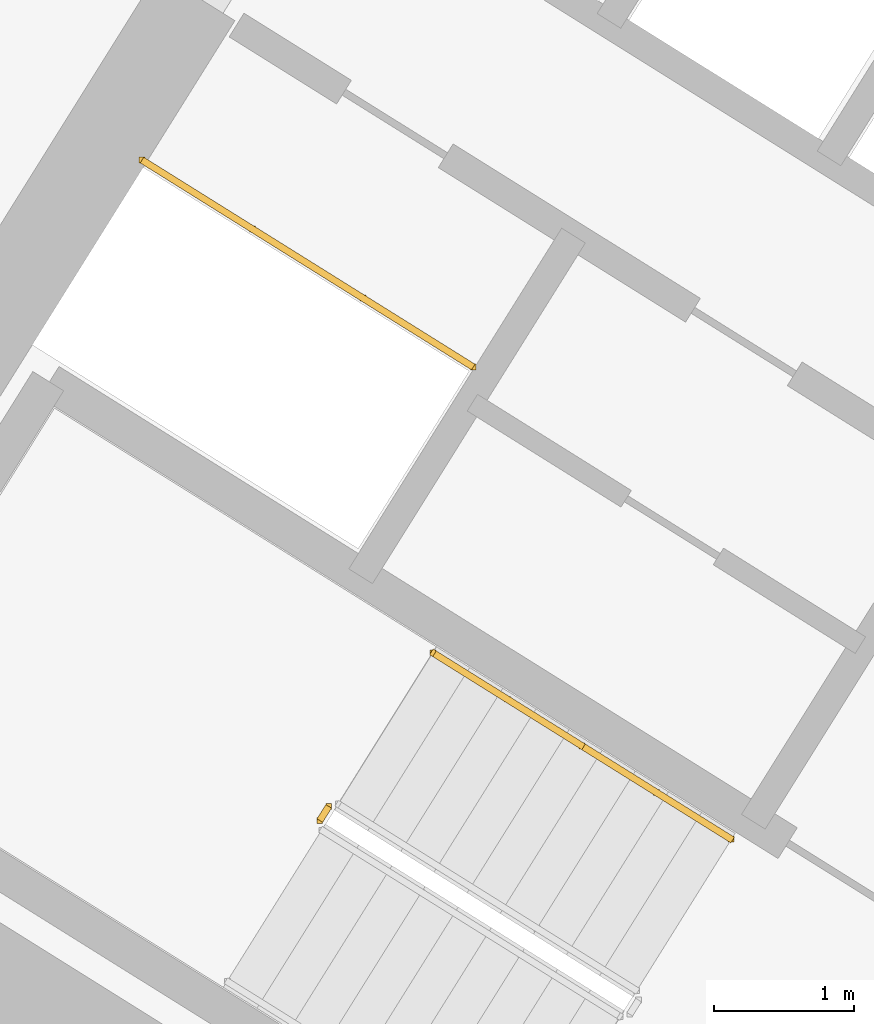
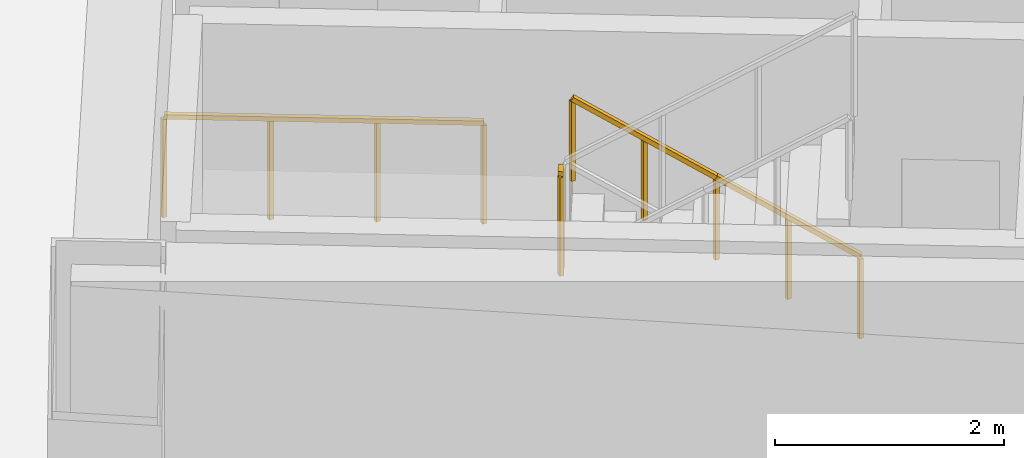
# One storey, part 24 of 28: 4 railings.
"""IFC4 building model written with IfcOpenShell, lengths in metres."""

from ifc_helpers import new_model, si_unit, direction, frame, origin, origin_2d, place, context, subcontext, project, spatial, rectangle, extrude, source, transform, mapped, material, type_object, element, save


model = new_model("IFC4")

# Units and contexts
model_context = context("Model", 3, precision=1e-05, world=origin(), true_north=direction((0.0, 1.0)))
body_context = subcontext(model_context, "Body", "Model", "MODEL_VIEW")
ifc_project = project(units=[si_unit("LENGTHUNIT", "METRE"), si_unit("AREAUNIT", "SQUARE_METRE"), si_unit("VOLUMEUNIT", "CUBIC_METRE"), si_unit("PLANEANGLEUNIT", "RADIAN"), si_unit("MASSUNIT", "GRAM", prefix="KILO")], contexts=[model_context])

# Site, building, storey
site_placement = place(None, origin())
site = spatial("IfcSite", under=ifc_project, at=site_placement, CompositionType="ELEMENT")
building_placement = place(site_placement, origin())
building = spatial("IfcBuilding", under=site, at=building_placement, Name="Tlacorven Tower", CompositionType="ELEMENT")
storey_placement = place(building_placement, frame((0.0, 0.0, 63.60009765625)))
storey = spatial("IfcBuildingStorey", under=building, at=storey_placement, Name="L16", CompositionType="ELEMENT", Elevation=63.60009765625)

# Railings
ifc_material = material(Name="Aluminium and painted steel balustrade", Category="steel")
railing_type_1 = type_object("IfcRailingType", Name="RL-GRD-1100", PredefinedType="GUARDRAIL", material=ifc_material)
shared_shape_1 = source(origin(), body_context, "Body", "SweptSolid", [
    extrude(rectangle(XDim=0.048095703125, YDim=0.048095703125, at=origin_2d()), frame((0.0, 0.0, 1.076171875), z_axis=(-0.848091358275, 0.529850024081, 0.0), x_axis=(-0.529850024081, -0.848091358275, 0.0)), (0.0, 0.0, 1.0), 2.800048828125),
    extrude(rectangle(XDim=0.0419921875, YDim=0.0419921875, at=origin_2d()), origin(), (0.0, 0.0, 1.0), 1.052001953125),
    extrude(rectangle(XDim=0.0419921875, YDim=0.0419921875, at=origin_2d()), frame((-0.79150390625, 0.49462890625, 0.0)), (0.0, 0.0, 1.0), 1.052001953125),
    extrude(rectangle(XDim=0.0419921875, YDim=0.0419921875, at=origin_2d()), frame((-1.583251953125, 0.989013671875, 0.0)), (0.0, 0.0, 1.0), 1.052001953125),
    extrude(rectangle(XDim=0.0419921875, YDim=0.0419921875, at=origin_2d()), frame((-2.374755859375, 1.483642578125, 0.0)), (0.0, 0.0, 1.0), 1.052001953125),
])
railing_1_placement = place(storey_placement, frame((27.9912109375, 22.32080078125, 0.0)))
element("IfcRailing", 1, at=railing_1_placement, inside=storey, type_object=railing_type_1, Name="L16 Electrical Riser W Shaft Guard 1", PredefinedType="GUARDRAIL", context=body_context, shape_type="MappedRepresentation", body=[
    mapped(shared_shape_1, transform((0.0, 0.0, 0.0), scale=1.0)),
])
shared_shape_2 = source(origin(), body_context, "Body", "SweptSolid", [
    extrude(rectangle(XDim=0.048095703125, YDim=0.048095703125, at=origin_2d()), frame((0.0, 0.0, 1.076171875), z_axis=(-0.530546985787, -0.847655529016, 0.0), x_axis=(0.847655529016, -0.530546985787, 0.0)), (0.0, 0.0, 1.0), 0.1201171875),
    extrude(rectangle(XDim=0.0419921875, YDim=0.0419921875, at=origin_2d()), origin(), (0.0, 0.0, 1.0), 1.052001953125),
    extrude(rectangle(XDim=0.0419921875, YDim=0.0419921875, at=origin_2d()), frame((-0.063720703125, -0.101806640625, 0.0)), (0.0, 0.0, 1.0), 1.052001953125),
])
railing_2_placement = place(storey_placement, frame((26.954833984375, 19.17138671875, 1.7998046875)))
element("IfcRailing", 2, at=railing_2_placement, inside=storey, type_object=railing_type_1, Name="L16 ST-W1 stair guard 2", PredefinedType="GUARDRAIL", context=body_context, shape_type="MappedRepresentation", body=[
    mapped(shared_shape_2, transform((0.0, 0.0, 0.0), scale=1.0)),
])
railing_type_2 = type_object("IfcRailingType", Name="RL-HND-0900", PredefinedType="HANDRAIL", material=ifc_material)
shared_shape_3 = source(origin(), body_context, "Body", "SweptSolid", [
    extrude(rectangle(XDim=0.048095703125, YDim=0.048095703125, at=origin_2d()), frame((0.0, 0.0, 0.8759765625), z_axis=(-0.713359751793, 0.4457479829, 0.540764828981), x_axis=(-0.529911857636, -0.848052724267, 0.0)), (0.0, 0.0, 1.0), 1.498046875),
    extrude(rectangle(XDim=0.0419921875, YDim=0.0419921875, at=origin_2d()), origin(), (0.0, 0.0, 1.0), 0.851806640625),
    extrude(rectangle(XDim=0.0419921875, YDim=0.0419921875, at=origin_2d()), frame((-0.5341796875, 0.333984375, 0.405029296875)), (0.0, 0.0, 1.0), 0.851806640625),
    extrude(rectangle(XDim=0.0419921875, YDim=0.0419921875, at=origin_2d()), frame((-1.068603515625, 0.667724609375, 0.81005859375)), (0.0, 0.0, 1.0), 0.851806640625),
])
railing_3_placement = place(storey_placement, frame((29.839111328125, 18.937255859375, 0.179931640625)))
element("IfcRailing", 3, at=railing_3_placement, inside=storey, type_object=railing_type_2, Name="L16 ST-W1 stair handrail 1", PredefinedType="HANDRAIL", context=body_context, shape_type="MappedRepresentation", body=[
    mapped(shared_shape_3, transform((0.0, 0.0, 0.0), scale=1.0)),
])
shared_shape_4 = source(origin(), body_context, "Body", "SweptSolid", [
    extrude(rectangle(XDim=0.048095703125, YDim=0.048095703125, at=origin_2d()), frame((0.0, 0.0, 0.8759765625), z_axis=(-0.713422621445, 0.445787267455, 0.540649494022), x_axis=(-0.529911857636, -0.848052724267, 0.0)), (0.0, 0.0, 1.0), 1.497802734375),
    extrude(rectangle(XDim=0.0419921875, YDim=0.0419921875, at=origin_2d()), origin(), (0.0, 0.0, 1.0), 0.851806640625),
    extrude(rectangle(XDim=0.0419921875, YDim=0.0419921875, at=origin_2d()), frame((-0.5341796875, 0.333984375, 0.40478515625)), (0.0, 0.0, 1.0), 0.851806640625),
    extrude(rectangle(XDim=0.0419921875, YDim=0.0419921875, at=origin_2d()), frame((-1.068603515625, 0.667724609375, 0.809814453125)), (0.0, 0.0, 1.0), 0.851806640625),
])
railing_4_placement = place(storey_placement, frame((28.7705078125, 19.60498046875, 0.989990234375)))
element("IfcRailing", 4, at=railing_4_placement, inside=storey, type_object=railing_type_2, Name="L16 ST-W1 stair handrail 2", PredefinedType="HANDRAIL", context=body_context, shape_type="MappedRepresentation", body=[
    mapped(shared_shape_4, transform((0.0, 0.0, 0.0), scale=1.0)),
])

save(model, "model.ifc")
